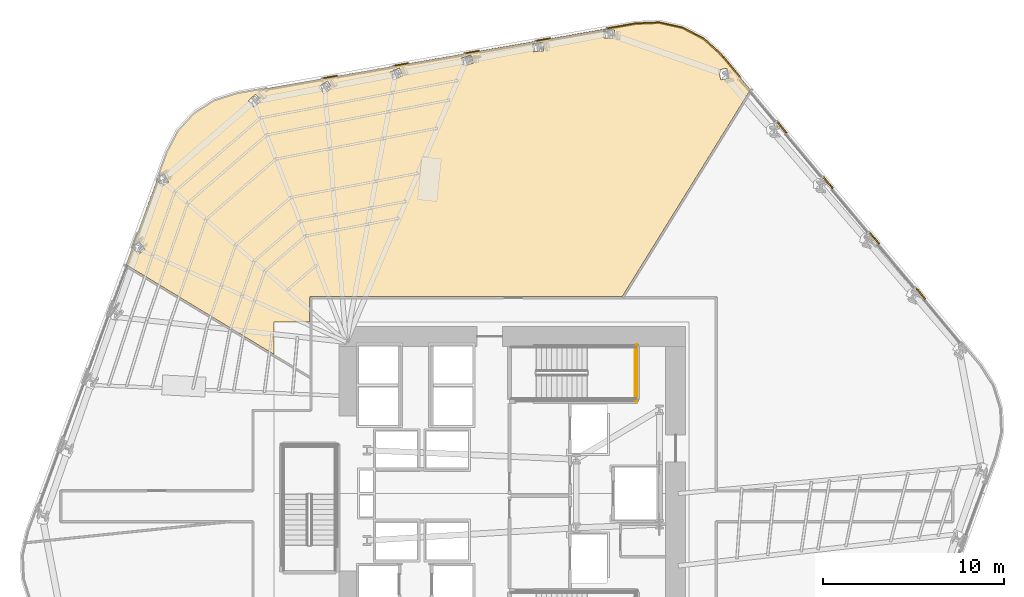
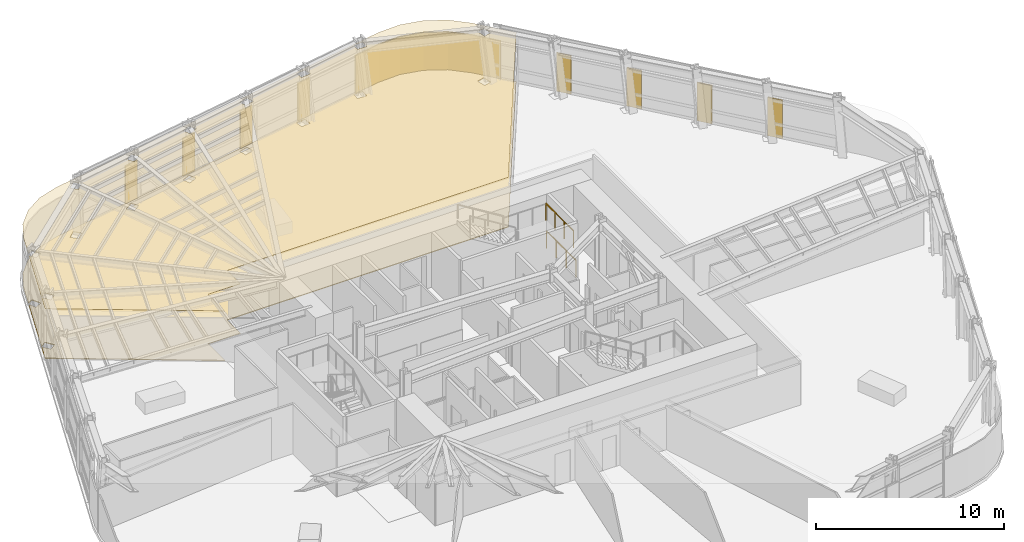
# One storey, part 15 of 16: 11 coverings, 2 railings.
"""IFC4 building model written with IfcOpenShell, lengths in metres."""

from ifc_helpers import new_model, si_unit, direction, frame, origin, origin_2d, place, context, subcontext, project, spatial, polyline, circle, outline, extrude, material, layer, layer_set, type_object, element, save


model = new_model("IFC4")

# Units and contexts
model_context = context("Model", 3, precision=1e-05, world=origin(), true_north=direction((0.0, 1.0)))
body_context = subcontext(model_context, "Body", "Model", "MODEL_VIEW")
ifc_project = project(units=[si_unit("LENGTHUNIT", "METRE"), si_unit("AREAUNIT", "SQUARE_METRE"), si_unit("VOLUMEUNIT", "CUBIC_METRE"), si_unit("PLANEANGLEUNIT", "RADIAN"), si_unit("MASSUNIT", "GRAM", prefix="KILO")], contexts=[model_context])

# Site, building, storey
site_placement = place(None, origin())
site = spatial("IfcSite", under=ifc_project, at=site_placement, CompositionType="ELEMENT")
building_placement = place(site_placement, origin())
building = spatial("IfcBuilding", under=site, at=building_placement, Name="Valkerne Bourse Tower", CompositionType="ELEMENT")
storey_placement = place(building_placement, frame((0.0, 0.0, 65.800048828125)))
storey = spatial("IfcBuildingStorey", under=building, at=storey_placement, Name="L16", CompositionType="ELEMENT", Elevation=65.800048828125)

# Coverings
ifc_material_1 = material(Name="Mineral Fiber Acoustic Ceiling Tile", Category="acoustic")
ifc_layer_1 = layer(ifc_material_1, 0.02490234375)
ifc_layer_set_1 = layer_set([ifc_layer_1], Name="Mineral Fiber Acoustic Ceiling Tile")
covering_type_1 = type_object("IfcCoveringType", Name="COV-CEIL-ACT", PredefinedType="CEILING", material=ifc_layer_set_1)
covering_1_placement = place(storey_placement, frame((0.0, 0.0, 3.22998046875)))
element("IfcCovering", 1, at=covering_1_placement, inside=storey, type_object=covering_type_1, Name="L16 Suspended Ceiling 08", PredefinedType="CEILING", context=body_context, shape_type="SweptSolid", body=[
    extrude(outline(polyline([(29.19189453125, 48.058837890625), (30.30615234375, 48.76611328125), (31.574462890625, 49.16357421875), (53.6259765625, 53.032470703125), (54.953857421875, 53.088134765625), (56.24169921875, 52.80029296875), (57.410888671875, 52.18896484375), (58.38916015625, 51.289306640625), (59.9921875, 49.36865234375), (52.89697265625, 37.9189453125), (35.632568359375, 37.9169921875), (35.5947265625, 37.8916015625), (35.5810546875, 37.8505859375), (35.5810546875, 36.5), (33.60009765625, 36.5), (33.60009765625, 34.7119140625), (25.3994140625, 39.6865234375), (25.766357421875, 40.68701171875), (26.0869140625, 40.251220703125), (26.454833984375, 40.519775390625), (26.456787109375, 40.522705078125), (26.127197265625, 40.970703125), (25.776611328125, 40.71484375), (27.14208984375, 44.435546875), (27.356201171875, 44.02880859375), (27.760009765625, 44.239501953125), (27.762451171875, 44.2421875), (27.503173828125, 44.734375), (27.192138671875, 44.572021484375), (27.68310546875, 45.90966796875), (28.298828125, 47.087646484375), (29.19189453125, 48.058837890625)]), holes=[polyline([(32.48779296875, 48.41162109375), (32.893310546875, 48.788330078125), (32.58251953125, 49.1240234375), (32.579345703125, 49.1220703125), (32.173828125, 48.745361328125), (32.484619140625, 48.40966796875), (32.48779296875, 48.41162109375)]), polyline([(36.36181640625, 49.162109375), (36.8193359375, 49.47412109375), (36.562255859375, 49.852783203125), (36.558837890625, 49.851318359375), (36.1015625, 49.5390625), (36.358642578125, 49.16064453125), (36.36181640625, 49.162109375)]), polyline([(40.234619140625, 49.922119140625), (40.736328125, 50.15673828125), (40.543212890625, 50.571533203125), (40.539794921875, 50.570556640625), (40.0380859375, 50.336181640625), (40.231201171875, 49.92138671875), (40.234619140625, 49.922119140625)]), polyline([(44.6435546875, 50.840087890625), (44.521728515625, 51.28125), (44.518310546875, 51.281005859375), (43.984619140625, 51.13232421875), (44.1064453125, 50.69140625), (44.110107421875, 50.691650390625), (44.6435546875, 50.840087890625)]), polyline([(48.54248046875, 51.52880859375), (48.493408203125, 51.98388671875), (48.48974609375, 51.98388671875), (47.939208984375, 51.92333984375), (47.988525390625, 51.468505859375), (47.9921875, 51.46826171875), (48.54248046875, 51.52880859375)]), polyline([(52.455810546875, 52.68310546875), (52.4521484375, 52.683837890625), (51.89892578125, 52.705810546875), (51.8798828125, 52.248779296875), (51.8837890625, 52.248046875), (52.436767578125, 52.22607421875), (52.455810546875, 52.68310546875)]), polyline([(58.802001953125, 50.01806640625), (58.680419921875, 50.559814453125), (58.677001953125, 50.5615234375), (58.232666015625, 50.458984375), (58.3544921875, 49.917236328125), (58.357666015625, 49.91552734375), (58.802001953125, 50.01806640625)])]), origin(), (0.0, 0.0, 1.0), 0.02490234375),
])
ifc_material_2 = material(Name="Bronze Anodised Aluminium AA 6063-T6", Category="aluminium")
ifc_layer_2 = layer(ifc_material_2, 0.06005859375)
ifc_layer_set_2 = layer_set([ifc_layer_2], Name="Bronze Anodised Aluminium AA 6063-T6")
covering_type_2 = type_object("IfcCoveringType", Name="COV-CRN-ALUM", PredefinedType="CLADDING", material=ifc_layer_set_2)
covering_2_placement = place(storey_placement, origin())
element("IfcCovering", 2, at=covering_2_placement, inside=storey, type_object=covering_type_2, Name="L16 Wind-Shaped Corner Aluminium Cladding 17", PredefinedType="CLADDING", context=body_context, shape_type="SweptSolid", body=[
    extrude(outline(polyline([(37.0966796875, 50.177001953125), (37.1103515625, 50.098388671875), (36.283203125, 49.953125), (36.269287109375, 50.031982421875), (37.0966796875, 50.177001953125)])), origin(), (0.0, 0.0, 1.0), 2.5),
])
covering_3_placement = place(storey_placement, origin())
element("IfcCovering", 3, at=covering_3_placement, inside=storey, type_object=covering_type_2, Name="L16 Wind-Shaped Corner Aluminium Cladding 18", PredefinedType="CLADDING", context=body_context, shape_type="SweptSolid", body=[
    extrude(outline(polyline([(41.03271484375, 50.86767578125), (41.04638671875, 50.788818359375), (40.218994140625, 50.643798828125), (40.205078125, 50.722412109375), (41.03271484375, 50.86767578125)])), origin(), (0.0, 0.0, 1.0), 2.5),
])
covering_4_placement = place(storey_placement, origin())
element("IfcCovering", 4, at=covering_4_placement, inside=storey, type_object=covering_type_2, Name="L16 Wind-Shaped Corner Aluminium Cladding 19", PredefinedType="CLADDING", context=body_context, shape_type="SweptSolid", body=[
    extrude(outline(polyline([(44.968505859375, 51.55810546875), (44.982177734375, 51.4794921875), (44.15478515625, 51.334228515625), (44.14111328125, 51.4130859375), (44.968505859375, 51.55810546875)])), origin(), (0.0, 0.0, 1.0), 2.5),
])
covering_5_placement = place(storey_placement, origin())
element("IfcCovering", 5, at=covering_5_placement, inside=storey, type_object=covering_type_2, Name="L16 Wind-Shaped Corner Aluminium Cladding 20", PredefinedType="CLADDING", context=body_context, shape_type="SweptSolid", body=[
    extrude(outline(polyline([(48.904296875, 52.248779296875), (48.918212890625, 52.169921875), (48.0908203125, 52.02490234375), (48.076904296875, 52.103515625), (48.904296875, 52.248779296875)])), origin(), (0.0, 0.0, 1.0), 2.5),
])
covering_6_placement = place(storey_placement, origin())
element("IfcCovering", 6, at=covering_6_placement, inside=storey, type_object=covering_type_2, Name="L16 Wind-Shaped Corner Aluminium Cladding 21", PredefinedType="CLADDING", context=body_context, shape_type="SweptSolid", body=[
    extrude(outline(polyline([(53.62109375, 53.076416015625), (54.957763671875, 53.13232421875), (56.2568359375, 52.842041015625), (57.4365234375, 52.225341796875), (58.421142578125, 51.31982421875), (59.467529296875, 50.066162109375), (59.406005859375, 50.014892578125), (58.363037109375, 51.264404296875), (57.39013671875, 52.1591796875), (56.22900390625, 52.76611328125), (54.95068359375, 53.052001953125), (53.6298828125, 52.99658203125), (52.026611328125, 52.71533203125), (52.0126953125, 52.794189453125), (53.62109375, 53.076416015625)])), origin(), (0.0, 0.0, 1.0), 2.5),
])
covering_7_placement = place(storey_placement, origin())
element("IfcCovering", 7, at=covering_7_placement, inside=storey, type_object=covering_type_2, Name="L16 Wind-Shaped Corner Aluminium Cladding 22", PredefinedType="CLADDING", context=body_context, shape_type="SweptSolid", body=[
    extrude(outline(polyline([(62.02783203125, 46.998291015625), (61.966552734375, 46.947021484375), (61.42822265625, 47.591796875), (61.48974609375, 47.643310546875), (62.02783203125, 46.998291015625)])), origin(), (0.0, 0.0, 1.0), 2.5),
])
covering_8_placement = place(storey_placement, origin())
element("IfcCovering", 8, at=covering_8_placement, inside=storey, type_object=covering_type_2, Name="L16 Wind-Shaped Corner Aluminium Cladding 23", PredefinedType="CLADDING", context=body_context, shape_type="SweptSolid", body=[
    extrude(outline(polyline([(64.58837890625, 43.930419921875), (64.527099609375, 43.87890625), (63.98876953125, 44.52392578125), (64.05029296875, 44.5751953125), (64.58837890625, 43.930419921875)])), origin(), (0.0, 0.0, 1.0), 2.5),
])
covering_9_placement = place(storey_placement, origin())
element("IfcCovering", 9, at=covering_9_placement, inside=storey, type_object=covering_type_2, Name="L16 Wind-Shaped Corner Aluminium Cladding 24", PredefinedType="CLADDING", context=body_context, shape_type="SweptSolid", body=[
    extrude(outline(polyline([(67.148681640625, 40.862548828125), (67.08740234375, 40.811279296875), (66.54931640625, 41.4560546875), (66.610595703125, 41.50732421875), (67.148681640625, 40.862548828125)])), origin(), (0.0, 0.0, 1.0), 2.5),
])
covering_10_placement = place(storey_placement, origin())
element("IfcCovering", 10, at=covering_10_placement, inside=storey, type_object=covering_type_2, Name="L16 Wind-Shaped Corner Aluminium Cladding 25", PredefinedType="CLADDING", context=body_context, shape_type="SweptSolid", body=[
    extrude(outline(polyline([(69.709228515625, 37.794677734375), (69.64794921875, 37.743408203125), (69.109619140625, 38.38818359375), (69.171142578125, 38.439453125), (69.709228515625, 37.794677734375)])), origin(), (0.0, 0.0, 1.0), 2.5),
])
ifc_material_3 = material(Name="Galvanised Painted Steel", Category="steel")
ifc_layer_3 = layer(ifc_material_3, 0.044921875)
ifc_layer_set_3 = layer_set([ifc_layer_3], Name="Galvanised Painted Steel")
covering_type_3 = type_object("IfcCoveringType", Name="COV-FLR-RAF", PredefinedType="FLOORING", material=ifc_layer_set_3)
covering_11_placement = place(storey_placement, origin())
element("IfcCovering", 11, at=covering_11_placement, inside=storey, type_object=covering_type_3, Name="L16 Floor Finish 08", PredefinedType="FLOORING", context=body_context, shape_type="SweptSolid", body=[
    extrude(outline(polyline([(29.19189453125, 48.058837890625), (30.30615234375, 48.76611328125), (31.574462890625, 49.16357421875), (53.6259765625, 53.032470703125), (54.953857421875, 53.088134765625), (56.24169921875, 52.80029296875), (57.410888671875, 52.18896484375), (58.38916015625, 51.289306640625), (59.9921875, 49.36865234375), (52.89697265625, 37.9189453125), (35.632568359375, 37.9169921875), (35.5947265625, 37.8916015625), (35.5810546875, 37.8505859375), (35.5810546875, 36.5), (33.60009765625, 36.5), (33.60009765625, 34.7119140625), (25.3994140625, 39.6865234375), (25.766357421875, 40.68701171875), (26.0869140625, 40.251220703125), (26.454833984375, 40.519775390625), (26.456787109375, 40.522705078125), (26.127197265625, 40.970703125), (25.776611328125, 40.71484375), (27.14208984375, 44.435546875), (27.356201171875, 44.02880859375), (27.760009765625, 44.239501953125), (27.762451171875, 44.2421875), (27.503173828125, 44.734375), (27.192138671875, 44.572021484375), (27.68310546875, 45.90966796875), (28.298828125, 47.087646484375), (29.19189453125, 48.058837890625)]), holes=[polyline([(32.48779296875, 48.41162109375), (32.893310546875, 48.788330078125), (32.58251953125, 49.1240234375), (32.579345703125, 49.1220703125), (32.173828125, 48.745361328125), (32.484619140625, 48.40966796875), (32.48779296875, 48.41162109375)]), polyline([(36.36181640625, 49.162109375), (36.8193359375, 49.47412109375), (36.562255859375, 49.852783203125), (36.558837890625, 49.851318359375), (36.1015625, 49.5390625), (36.358642578125, 49.16064453125), (36.36181640625, 49.162109375)]), polyline([(40.234619140625, 49.922119140625), (40.736328125, 50.15673828125), (40.543212890625, 50.571533203125), (40.539794921875, 50.570556640625), (40.0380859375, 50.336181640625), (40.231201171875, 49.92138671875), (40.234619140625, 49.922119140625)]), polyline([(44.6435546875, 50.840087890625), (44.521728515625, 51.28125), (44.518310546875, 51.281005859375), (43.984619140625, 51.13232421875), (44.1064453125, 50.69140625), (44.110107421875, 50.691650390625), (44.6435546875, 50.840087890625)]), polyline([(48.54248046875, 51.52880859375), (48.493408203125, 51.98388671875), (48.48974609375, 51.98388671875), (47.939208984375, 51.92333984375), (47.988525390625, 51.468505859375), (47.9921875, 51.46826171875), (48.54248046875, 51.52880859375)]), polyline([(52.455810546875, 52.68310546875), (52.4521484375, 52.683837890625), (51.89892578125, 52.705810546875), (51.8798828125, 52.248779296875), (51.8837890625, 52.248046875), (52.436767578125, 52.22607421875), (52.455810546875, 52.68310546875)]), polyline([(58.802001953125, 50.01806640625), (58.680419921875, 50.559814453125), (58.677001953125, 50.5615234375), (58.232666015625, 50.458984375), (58.3544921875, 49.917236328125), (58.357666015625, 49.91552734375), (58.802001953125, 50.01806640625)])]), origin(), (0.0, 0.0, 1.0), 0.044921875),
])

# Railings
railing_type = type_object("IfcRailingType", Name="RLG-ST-GUARD-1120", PredefinedType="GUARDRAIL", material=ifc_material_3)
railing_1_placement = place(storey_placement, frame((53.60009765625, 32.199951171875, 1.89990234375)))
element("IfcRailing", 12, at=railing_1_placement, inside=storey, type_object=railing_type, Name="L16 ST-2 stair guard 5", PredefinedType="GUARDRAIL", context=body_context, shape_type="SweptSolid", body=[
    extrude(circle(Radius=0.02392578125, at=origin_2d()), frame((0.0, 0.0, 1.09619140625), z_axis=(0.0, 1.0, 0.0), x_axis=(-1.0, 0.0, 0.0)), (0.0, 0.0, 1.0), 2.949951171875),
    extrude(circle(Radius=0.02099609375, at=origin_2d()), origin(), (0.0, 0.0, 1.0), 1.072021484375),
    extrude(circle(Radius=0.02099609375, at=origin_2d()), frame((0.0, 0.9833984375, 0.0)), (0.0, 0.0, 1.0), 1.072021484375),
    extrude(circle(Radius=0.02099609375, at=origin_2d()), frame((0.0, 1.966552734375, 0.0)), (0.0, 0.0, 1.0), 1.072021484375),
    extrude(circle(Radius=0.02099609375, at=origin_2d()), frame((0.0, 2.949951171875, 0.0)), (0.0, 0.0, 1.0), 1.072021484375),
])
railing_2_placement = place(storey_placement, frame((53.699951171875, 32.10009765625, 0.0)))
element("IfcRailing", 13, at=railing_2_placement, inside=storey, type_object=railing_type, Name="L16 ST-2 stair guard 12", PredefinedType="GUARDRAIL", context=body_context, shape_type="SweptSolid", body=[
    extrude(circle(Radius=0.02392578125, at=origin_2d()), frame((0.0, 0.0, 1.09619140625), z_axis=(0.0, 1.0, 0.0), x_axis=(-1.0, 0.0, 0.0)), (0.0, 0.0, 1.0), 3.14990234375),
    extrude(circle(Radius=0.02099609375, at=origin_2d()), origin(), (0.0, 0.0, 1.0), 1.072021484375),
    extrude(circle(Radius=0.02099609375, at=origin_2d()), frame((0.0, 1.050048828125, 0.0)), (0.0, 0.0, 1.0), 1.072021484375),
    extrude(circle(Radius=0.02099609375, at=origin_2d()), frame((0.0, 2.099853515625, 0.0)), (0.0, 0.0, 1.0), 1.072021484375),
    extrude(circle(Radius=0.02099609375, at=origin_2d()), frame((0.0, 3.14990234375, 0.0)), (0.0, 0.0, 1.0), 1.072021484375),
])

save(model, "model.ifc")
